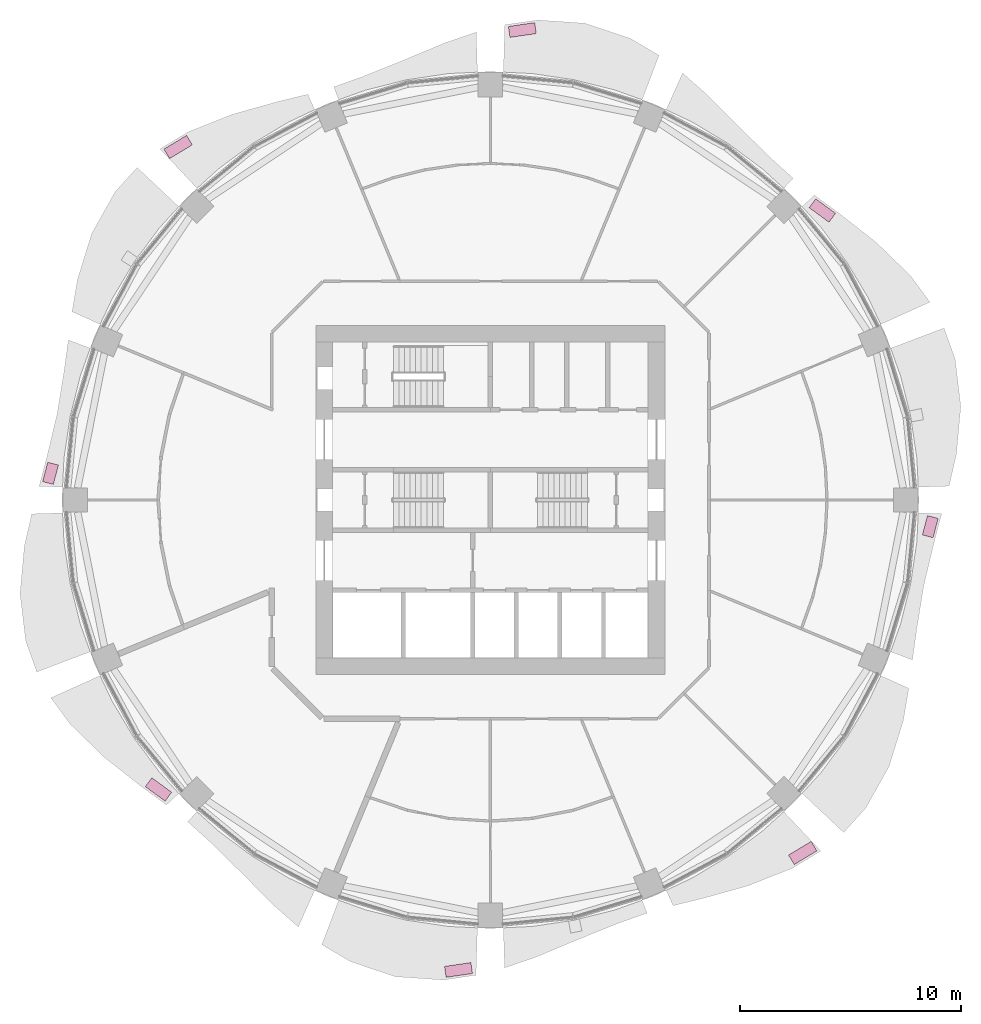
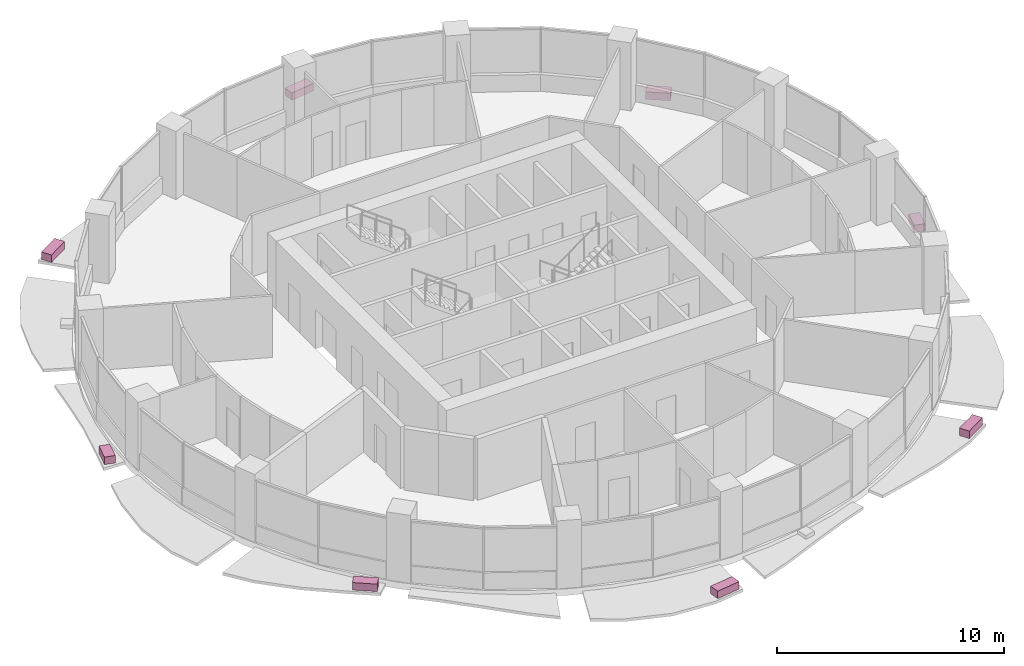
# One storey, part 15 of 15: 8 furniture elements.
"""IFC4 building model written with IfcOpenShell, lengths in metres."""

from ifc_helpers import new_model, si_unit, direction, frame, origin, origin_2d, place, context, subcontext, project, spatial, rectangle, extrude, material, type_object, element, save


model = new_model("IFC4")

# Units and contexts
model_context = context("Model", 3, precision=1e-05, world=origin(), true_north=direction((0.0, 1.0)))
body_context = subcontext(model_context, "Body", "Model", "MODEL_VIEW")
ifc_project = project(units=[si_unit("LENGTHUNIT", "METRE"), si_unit("AREAUNIT", "SQUARE_METRE"), si_unit("VOLUMEUNIT", "CUBIC_METRE"), si_unit("PLANEANGLEUNIT", "RADIAN"), si_unit("MASSUNIT", "GRAM", prefix="KILO")], contexts=[model_context])

# Site, building, storey
site_placement = place(None, origin())
site = spatial("IfcSite", under=ifc_project, at=site_placement, CompositionType="ELEMENT")
building_placement = place(site_placement, origin())
building = spatial("IfcBuilding", under=site, at=building_placement, Name="Polderwave Tower", CompositionType="ELEMENT")
storey_placement = place(building_placement, frame((0.0, 0.0, 83.699951171875)))
storey = spatial("IfcBuildingStorey", under=building, at=storey_placement, Name="L21", CompositionType="ELEMENT", Elevation=83.699951171875)

# Furniture
ifc_material = material(Name="Terracotta", Category="masonry")
furniture_type = type_object("IfcFurnitureType", Name="Terracotta planting trough", AssemblyPlace="NOTDEFINED", PredefinedType="USERDEFINED", material=ifc_material)
furniture_1_placement = place(storey_placement, frame((14.98876953125, 13.071044921875, -0.199951171875), z_axis=(0.0, 0.0, 1.0), x_axis=(-0.806496202698, 0.591239270544, 0.0)))
element("IfcFurniture", 1, at=furniture_1_placement, inside=storey, type_object=furniture_type, Name="Planting trough L21 2", ObjectType="PLANTER", PredefinedType="USERDEFINED", context=body_context, shape_type="SweptSolid", body=[
    extrude(rectangle(XDim=1.1083984375, YDim=0.5, at=origin_2d()), origin(), (0.0, 0.0, 1.0), 0.39990234375),
])
furniture_2_placement = place(storey_placement, frame((1.441650390625, 21.221923828125, -0.199951171875), z_axis=(0.0, 0.0, 1.0), x_axis=(-0.989799866075, -0.142464820632, 0.0)))
element("IfcFurniture", 2, at=furniture_2_placement, inside=storey, type_object=furniture_type, Name="Planting trough L21 4", ObjectType="PLANTER", PredefinedType="USERDEFINED", context=body_context, shape_type="SweptSolid", body=[
    extrude(rectangle(XDim=1.20166015625, YDim=0.5, at=origin_2d()), origin(), (0.0, 0.0, 1.0), 0.39990234375),
])
furniture_3_placement = place(storey_placement, frame((-14.102294921875, 15.939453125, -0.199951171875), z_axis=(0.0, 0.0, 1.0), x_axis=(-0.855712156189, -0.517452128945, 0.0)))
element("IfcFurniture", 3, at=furniture_3_placement, inside=storey, type_object=furniture_type, Name="Planting trough L21 6", ObjectType="PLANTER", PredefinedType="USERDEFINED", context=body_context, shape_type="SweptSolid", body=[
    extrude(rectangle(XDim=1.19384765625, YDim=0.5, at=origin_2d()), origin(), (0.0, 0.0, 1.0), 0.39990234375),
])
furniture_4_placement = place(storey_placement, frame((-19.86279296875, 1.204833984375, -0.199951171875), z_axis=(0.0, 0.0, 1.0), x_axis=(-0.254463544886, -0.967082366877, 0.0)))
element("IfcFurniture", 4, at=furniture_4_placement, inside=storey, type_object=furniture_type, Name="Planting trough L21 8", ObjectType="PLANTER", PredefinedType="USERDEFINED", context=body_context, shape_type="SweptSolid", body=[
    extrude(rectangle(XDim=0.90234375, YDim=0.5, at=origin_2d()), origin(), (0.0, 0.0, 1.0), 0.39990234375),
])
furniture_5_placement = place(storey_placement, frame((-14.98876953125, -13.071044921875, -0.199951171875), z_axis=(0.0, 0.0, 1.0), x_axis=(0.806496202698, -0.591239270544, 0.0)))
element("IfcFurniture", 5, at=furniture_5_placement, inside=storey, type_object=furniture_type, Name="Planting trough L21 10", ObjectType="PLANTER", PredefinedType="USERDEFINED", context=body_context, shape_type="SweptSolid", body=[
    extrude(rectangle(XDim=1.1083984375, YDim=0.5, at=origin_2d()), origin(), (0.0, 0.0, 1.0), 0.39990234375),
])
furniture_6_placement = place(storey_placement, frame((-1.441650390625, -21.221923828125, -0.199951171875), z_axis=(0.0, 0.0, 1.0), x_axis=(0.989799866075, 0.142464820632, 0.0)))
element("IfcFurniture", 6, at=furniture_6_placement, inside=storey, type_object=furniture_type, Name="Planting trough L21 12", ObjectType="PLANTER", PredefinedType="USERDEFINED", context=body_context, shape_type="SweptSolid", body=[
    extrude(rectangle(XDim=1.20166015625, YDim=0.5, at=origin_2d()), origin(), (0.0, 0.0, 1.0), 0.39990234375),
])
furniture_7_placement = place(storey_placement, frame((14.102294921875, -15.939453125, -0.199951171875), z_axis=(0.0, 0.0, 1.0), x_axis=(0.855712156189, 0.517452128945, 0.0)))
element("IfcFurniture", 7, at=furniture_7_placement, inside=storey, type_object=furniture_type, Name="Planting trough L21 14", ObjectType="PLANTER", PredefinedType="USERDEFINED", context=body_context, shape_type="SweptSolid", body=[
    extrude(rectangle(XDim=1.19384765625, YDim=0.5, at=origin_2d()), origin(), (0.0, 0.0, 1.0), 0.39990234375),
])
furniture_8_placement = place(storey_placement, frame((19.86279296875, -1.204833984375, -0.199951171875), z_axis=(0.0, 0.0, 1.0), x_axis=(0.254463544886, 0.967082366877, 0.0)))
element("IfcFurniture", 8, at=furniture_8_placement, inside=storey, type_object=furniture_type, Name="Planting trough L21 16", ObjectType="PLANTER", PredefinedType="USERDEFINED", context=body_context, shape_type="SweptSolid", body=[
    extrude(rectangle(XDim=0.90234375, YDim=0.5, at=origin_2d()), origin(), (0.0, 0.0, 1.0), 0.39990234375),
])

save(model, "model.ifc")
